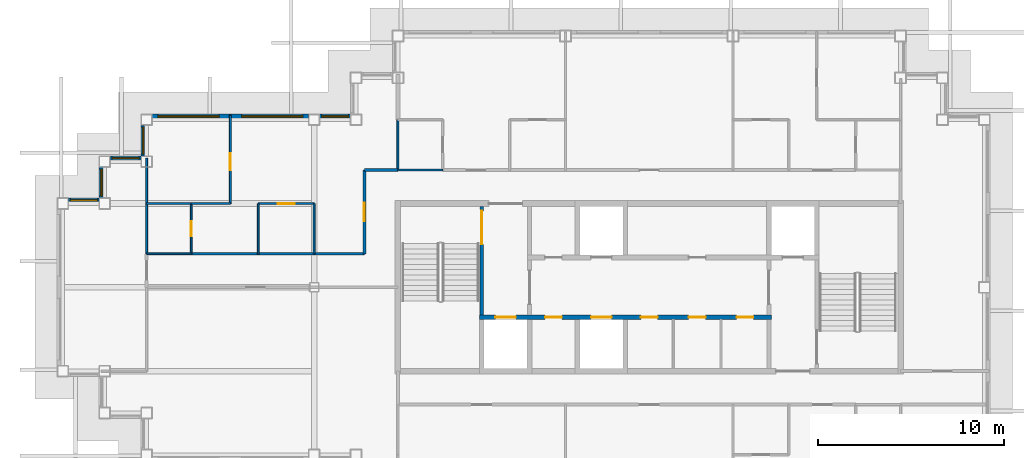
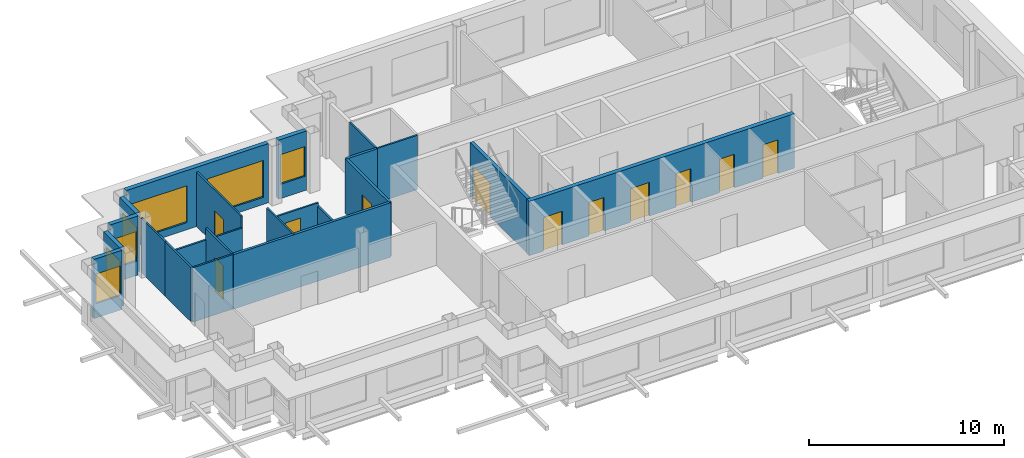
# One storey, part 3 of 11: 23 walls, 11 doors, 7 windows, 18 openings.
"""IFC4 building model written with IfcOpenShell, lengths in metres."""

from ifc_helpers import new_model, si_unit, direction, frame, frame_2d, origin, place, context, subcontext, project, spatial, rectangle, extrude, material, layer, layer_set, type_object, element, fill, save


model = new_model("IFC4")

# Units and contexts
model_context = context("Model", 3, precision=1e-05, world=origin(), true_north=direction((0.0, 1.0)))
body_context = subcontext(model_context, "Body", "Model", "MODEL_VIEW")
ifc_project = project(units=[si_unit("LENGTHUNIT", "METRE"), si_unit("AREAUNIT", "SQUARE_METRE"), si_unit("VOLUMEUNIT", "CUBIC_METRE"), si_unit("PLANEANGLEUNIT", "RADIAN"), si_unit("MASSUNIT", "GRAM", prefix="KILO")], contexts=[model_context])

# Site, building, storey
site_placement = place(None, origin())
site = spatial("IfcSite", under=ifc_project, at=site_placement, CompositionType="ELEMENT")
building_placement = place(site_placement, origin())
building = spatial("IfcBuilding", under=site, at=building_placement, Name="Caravel Reach Hotel and Residences", CompositionType="ELEMENT")
storey_placement = place(building_placement, frame((0.0, 0.0, 263.800048828125)))
storey = spatial("IfcBuildingStorey", under=building, at=storey_placement, Name="L67", CompositionType="ELEMENT", Elevation=263.800048828125)

# Walls
ifc_material_1 = material(Name="Gypsum board on steel stud", Category="steel")
ifc_layer_1 = layer(ifc_material_1, 0.10009765625)
ifc_layer_set_1 = layer_set([ifc_layer_1], Name="Bathroom pod wall 100 mm")
wall_type_1 = type_object("IfcWallType", Name="Bathroom pod wall 100 mm", PredefinedType="PARTITIONING", material=ifc_layer_set_1)
wall_1_placement = place(storey_placement, frame((4.5, 28.800048828125, 0.0), z_axis=(0.0, 0.0, 1.0), x_axis=(1.0, 0.0, 0.0)))
element("IfcWall", 1, at=wall_1_placement, inside=storey, type_object=wall_type_1, Name="L67 wall w052", PredefinedType="PARTITIONING", context=body_context, shape_type="SweptSolid", body=[
    extrude(rectangle(XDim=2.39990234375, YDim=0.10009765625, at=frame_2d((1.199951171875, 0.0))), origin(), (0.0, 0.0, 1.0), 3.39990234375),
])
wall_2_placement = place(storey_placement, frame((4.5, 31.5, 0.0), z_axis=(0.0, 0.0, 1.0), x_axis=(1.0, 0.0, 0.0)))
element("IfcWall", 2, at=wall_2_placement, inside=storey, type_object=wall_type_1, Name="L67 wall w053", PredefinedType="PARTITIONING", context=body_context, shape_type="SweptSolid", body=[
    extrude(rectangle(XDim=2.39990234375, YDim=0.10009765625, at=frame_2d((1.199951171875, 0.0))), origin(), (0.0, 0.0, 1.0), 2.679931640625),
])
wall_3_placement = place(storey_placement, frame((18.0, 33.300048828125, 0.0), z_axis=(0.0, 0.0, 1.0), x_axis=(1.0, 0.0, 0.0)))
element("IfcWall", 3, at=wall_3_placement, inside=storey, type_object=wall_type_1, Name="L67 wall w054", PredefinedType="PARTITIONING", context=body_context, shape_type="SweptSolid", body=[
    extrude(rectangle(XDim=2.39990234375, YDim=0.10009765625, at=frame_2d((1.199951171875, 0.0))), origin(), (0.0, 0.0, 1.0), 3.39990234375),
])
wall_4_placement = place(storey_placement, frame((18.0, 33.301025390625, 0.0), z_axis=(0.0, 0.0, 1.0), x_axis=(0.0, 1.0, 0.0)))
element("IfcWall", 4, at=wall_4_placement, inside=storey, type_object=wall_type_1, Name="L67 wall w058", PredefinedType="PARTITIONING", context=body_context, shape_type="SweptSolid", body=[
    extrude(rectangle(XDim=2.698974609375, YDim=0.10009765625, at=frame_2d((1.349609375, 0.0))), origin(), (0.0, 0.0, 1.0), 3.39990234375),
])
wall_5_placement = place(storey_placement, frame((4.5, 28.800048828125, 0.0), z_axis=(0.0, 0.0, 1.0), x_axis=(0.0, 1.0, 0.0)))
element("IfcWall", 5, at=wall_5_placement, inside=storey, type_object=wall_type_1, Name="L67 wall w060", PredefinedType="PARTITIONING", context=body_context, shape_type="SweptSolid", body=[
    extrude(rectangle(XDim=2.699951171875, YDim=0.10009765625, at=frame_2d((1.35009765625, 0.0))), origin(), (0.0, 0.0, 1.0), 3.39990234375),
])

# Wall, opening, door
wall_6_placement = place(storey_placement, frame((6.89990234375, 28.800048828125, 0.0), z_axis=(0.0, 0.0, 1.0), x_axis=(0.0, 1.0, 0.0)))
wall_6 = element("IfcWall", 6, at=wall_6_placement, inside=storey, type_object=wall_type_1, Name="L67 wall w065", PredefinedType="PARTITIONING", context=body_context, shape_type="SweptSolid", body=[
    extrude(rectangle(XDim=2.699951171875, YDim=0.10009765625, at=frame_2d((1.35009765625, 0.0))), origin(), (0.0, 0.0, 1.0), 3.39990234375),
])
opening_1_placement = place(wall_6_placement, frame((0.949951171875, 0.0, 0.0)))
opening_1 = element("IfcOpeningElement", 7, at=opening_1_placement, cuts=wall_6, Name="Opening D67-026", PredefinedType="OPENING", context=body_context, shape_type="SweptSolid", body=[
    extrude(rectangle(XDim=0.800048828125, YDim=2.10009765625, at=frame_2d((0.39990234375, 1.050048828125))), frame((0.0, 0.06005859375, 0.0), z_axis=(0.0, -1.0, 0.0), x_axis=(1.0, 0.0, 0.0)), (0.0, 0.0, 1.0), 0.1201171875),
])
ifc_material_2 = material(Name="Timber and steel door leaf", Category="steel")
door_type_1 = type_object("IfcDoorType", Name="Bathroom door 800 x 2100", OperationType="SINGLE_SWING_LEFT", PredefinedType="DOOR", material=ifc_material_2)
door_1_placement = place(opening_1_placement, origin())
door_1 = element("IfcDoor", 8, at=door_1_placement, inside=storey, type_object=door_type_1, Name="door D67-026", OperationType="SINGLE_SWING_LEFT", OverallHeight=2.10009765625, OverallWidth=0.800048828125, PredefinedType="DOOR", context=body_context, shape_type="SweptSolid", body=[
    extrude(rectangle(XDim=0.800048828125, YDim=2.10009765625, at=frame_2d((0.39990234375, 1.050048828125))), frame((0.0, 0.02490234375, 0.0), z_axis=(0.0, -1.0, 0.0), x_axis=(1.0, 0.0, 0.0)), (0.0, 0.0, 1.0), 0.050048828125),
])
fill(opening_1, door_1)

# Walls
ifc_material_3 = material(Name="Gypsum board on steel stud, fire-rated", Category="steel")
ifc_layer_2 = layer(ifc_material_3, 0.14990234375)
ifc_layer_set_2 = layer_set([ifc_layer_2], Name="Corridor wall 150 mm EI 60")
wall_type_2 = type_object("IfcWallType", Name="Corridor wall 150 mm EI 60", PredefinedType="PARTITIONING", material=ifc_layer_set_2)
wall_7_placement = place(storey_placement, frame((6.89990234375, 28.800048828125, 0.0), z_axis=(0.0, 0.0, 1.0), x_axis=(1.0, 0.0, 0.0)))
element("IfcWall", 9, at=wall_7_placement, inside=storey, type_object=wall_type_2, Name="L67 wall w008", PredefinedType="PARTITIONING", context=body_context, shape_type="SweptSolid", body=[
    extrude(rectangle(XDim=9.299072265625, YDim=0.14990234375, at=frame_2d((4.6494140625, 0.0))), origin(), (0.0, 0.0, 1.0), 3.39990234375),
])
wall_8_placement = place(storey_placement, frame((16.199951171875, 33.300048828125, 0.0), z_axis=(0.0, 0.0, 1.0), x_axis=(1.0, 0.0, 0.0)))
element("IfcWall", 10, at=wall_8_placement, inside=storey, type_object=wall_type_2, Name="L67 wall w016", PredefinedType="PARTITIONING", context=body_context, shape_type="SweptSolid", body=[
    extrude(rectangle(XDim=1.799072265625, YDim=0.14990234375, at=frame_2d((0.8994140625, 0.0))), origin(), (0.0, 0.0, 1.0), 3.39990234375),
])

# Wall, opening, door
wall_9_placement = place(storey_placement, frame((16.199951171875, 28.801025390625, 0.0), z_axis=(0.0, 0.0, 1.0), x_axis=(0.0, 1.0, 0.0)))
wall_9 = element("IfcWall", 11, at=wall_9_placement, inside=storey, type_object=wall_type_2, Name="L67 wall w017", PredefinedType="PARTITIONING", context=body_context, shape_type="SweptSolid", body=[
    extrude(rectangle(XDim=4.4990234375, YDim=0.14990234375, at=frame_2d((2.24951171875, 0.0))), origin(), (0.0, 0.0, 1.0), 3.39990234375),
])
opening_2_placement = place(wall_9_placement, frame((1.74951171875, 0.0, 0.0)))
opening_2 = element("IfcOpeningElement", 12, at=opening_2_placement, cuts=wall_9, Name="Opening D67-025", PredefinedType="OPENING", context=body_context, shape_type="SweptSolid", body=[
    extrude(rectangle(XDim=1.0, YDim=2.199951171875, at=frame_2d((0.5, 1.10009765625))), frame((0.0, 0.0849609375, 0.0), z_axis=(0.0, -1.0, 0.0), x_axis=(1.0, 0.0, 0.0)), (0.0, 0.0, 1.0), 0.169921875),
])
ifc_material_4 = material(Name="Steel fire door leaf", Category="steel")
door_type_2 = type_object("IfcDoorType", Name="Flat entrance door 1000 x 2200 EI 60", OperationType="SINGLE_SWING_LEFT", PredefinedType="DOOR", material=ifc_material_4)
door_2_placement = place(opening_2_placement, origin())
door_2 = element("IfcDoor", 13, at=door_2_placement, inside=storey, type_object=door_type_2, Name="door D67-025", OperationType="SINGLE_SWING_LEFT", OverallHeight=2.199951171875, OverallWidth=1.0, PredefinedType="DOOR", context=body_context, shape_type="SweptSolid", body=[
    extrude(rectangle(XDim=1.0, YDim=2.199951171875, at=frame_2d((0.5, 1.10009765625))), frame((0.0, 0.02490234375, 0.0), z_axis=(0.0, -1.0, 0.0), x_axis=(1.0, 0.0, 0.0)), (0.0, 0.0, 1.0), 0.050048828125),
])
fill(opening_2, door_2)

# Wall, opening, window
ifc_material_5 = material(Name="Insulated rainscreen wall, aluminium cladding", Category="aluminium")
ifc_layer_3 = layer(ifc_material_5, 0.25)
ifc_layer_set_3 = layer_set([ifc_layer_3], Name="EW1 Tower rainscreen wall")
wall_type_3 = type_object("IfcWallType", Name="EW1 Tower rainscreen wall", PredefinedType="SOLIDWALL", material=ifc_layer_set_3)
wall_10_placement = place(storey_placement, frame((15.449951171875, 36.175048828125, 0.0), z_axis=(0.0, 0.0, 1.0), x_axis=(-1.0, 0.0, 0.0)))
wall_10 = element("IfcWall", 14, at=wall_10_placement, inside=storey, type_object=wall_type_3, Name="External wall L67 N18.1", PredefinedType="SOLIDWALL", context=body_context, shape_type="SweptSolid", body=[
    extrude(rectangle(XDim=1.64990234375, YDim=0.25, at=frame_2d((0.824951171875, 0.0))), origin(), (0.0, 0.0, 1.0), 3.699951171875),
])
opening_3_placement = place(wall_10_placement, frame((0.10009765625, 0.0, 0.89990234375)))
opening_3 = element("IfcOpeningElement", 15, at=opening_3_placement, cuts=wall_10, Name="Opening WN25", PredefinedType="OPENING", context=body_context, shape_type="SweptSolid", body=[
    extrude(rectangle(XDim=1.449951171875, YDim=1.85009765625, at=frame_2d((0.72509765625, 0.925048828125))), frame((0.0, 0.135009765625, 0.0), z_axis=(0.0, -1.0, 0.0), x_axis=(1.0, 0.0, 0.0)), (0.0, 0.0, 1.0), 0.27001953125),
])
ifc_material_6 = material(Name="Dark low-e glazing in black aluminium frame", Category="aluminium")
window_type_1 = type_object("IfcWindowType", Name="Residence bedroom window 1450 x 1850", PartitioningType="SINGLE_PANEL", PredefinedType="WINDOW", material=ifc_material_6)
window_1_placement = place(opening_3_placement, origin())
window_1 = element("IfcWindow", 16, at=window_1_placement, inside=storey, type_object=window_type_1, Name="Window L67 N18.1.1", OverallHeight=1.85009765625, OverallWidth=1.449951171875, PartitioningType="SINGLE_PANEL", PredefinedType="WINDOW", context=body_context, shape_type="SweptSolid", body=[
    extrude(rectangle(XDim=1.449951171875, YDim=1.85009765625, at=frame_2d((0.72509765625, 0.925048828125))), frame((0.0, 0.030029296875, 0.0), z_axis=(0.0, -1.0, 0.0), x_axis=(1.0, 0.0, 0.0)), (0.0, 0.0, 1.0), 0.06005859375),
])
fill(opening_3, window_1)

# Wall, openings, windows
wall_11_placement = place(storey_placement, frame((13.199951171875, 36.175048828125, 0.0), z_axis=(0.0, 0.0, 1.0), x_axis=(-1.0, 0.0, 0.0)))
wall_11 = element("IfcWall", 17, at=wall_11_placement, inside=storey, type_object=wall_type_3, Name="External wall L67 N18.2", PredefinedType="SOLIDWALL", context=body_context, shape_type="SweptSolid", body=[
    extrude(rectangle(XDim=8.39990234375, YDim=0.25, at=frame_2d((4.199951171875, 0.0))), origin(), (0.0, 0.0, 1.0), 3.699951171875),
])
opening_4_placement = place(wall_11_placement, frame((0.300048828125, 0.0, 0.449951171875)))
opening_4 = element("IfcOpeningElement", 18, at=opening_4_placement, cuts=wall_11, Name="Opening WN15", PredefinedType="OPENING", context=body_context, shape_type="SweptSolid", body=[
    extrude(rectangle(XDim=3.300048828125, YDim=2.300048828125, at=frame_2d((1.64990234375, 1.14990234375))), frame((0.0, 0.135009765625, 0.0), z_axis=(0.0, -1.0, 0.0), x_axis=(1.0, 0.0, 0.0)), (0.0, 0.0, 1.0), 0.27001953125),
])
opening_5_placement = place(wall_11_placement, frame((4.800048828125, 0.0, 0.449951171875)))
opening_5 = element("IfcOpeningElement", 19, at=opening_5_placement, cuts=wall_11, Name="Opening WN15", PredefinedType="OPENING", context=body_context, shape_type="SweptSolid", body=[
    extrude(rectangle(XDim=3.300048828125, YDim=2.300048828125, at=frame_2d((1.64990234375, 1.14990234375))), frame((0.0, 0.135009765625, 0.0), z_axis=(0.0, -1.0, 0.0), x_axis=(1.0, 0.0, 0.0)), (0.0, 0.0, 1.0), 0.27001953125),
])
ifc_material_7 = material(Name="Dark low-e glazing in black aluminium frame", Category="aluminium")
window_type_2 = type_object("IfcWindowType", Name="Residence living window 3300 x 2300", PartitioningType="SINGLE_PANEL", PredefinedType="WINDOW", material=ifc_material_7)
window_2_placement = place(opening_4_placement, origin())
window_2 = element("IfcWindow", 20, at=window_2_placement, inside=storey, type_object=window_type_2, Name="Window L67 N18.2.1", OverallHeight=2.300048828125, OverallWidth=3.300048828125, PartitioningType="SINGLE_PANEL", PredefinedType="WINDOW", context=body_context, shape_type="SweptSolid", body=[
    extrude(rectangle(XDim=3.300048828125, YDim=2.300048828125, at=frame_2d((1.64990234375, 1.14990234375))), frame((0.0, 0.030029296875, 0.0), z_axis=(0.0, -1.0, 0.0), x_axis=(1.0, 0.0, 0.0)), (0.0, 0.0, 1.0), 0.06005859375),
])
fill(opening_4, window_2)
window_3_placement = place(opening_5_placement, origin())
window_3 = element("IfcWindow", 21, at=window_3_placement, inside=storey, type_object=window_type_2, Name="Window L67 N18.2.2", OverallHeight=2.300048828125, OverallWidth=3.300048828125, PartitioningType="SINGLE_PANEL", PredefinedType="WINDOW", context=body_context, shape_type="SweptSolid", body=[
    extrude(rectangle(XDim=3.300048828125, YDim=2.300048828125, at=frame_2d((1.64990234375, 1.14990234375))), frame((0.0, 0.030029296875, 0.0), z_axis=(0.0, -1.0, 0.0), x_axis=(1.0, 0.0, 0.0)), (0.0, 0.0, 1.0), 0.06005859375),
])
fill(opening_5, window_3)

# Wall, opening, window
wall_12_placement = place(storey_placement, frame((4.324951171875, 35.699951171875, 0.0), z_axis=(0.0, 0.0, 1.0), x_axis=(0.0, -1.0, 0.0)))
wall_12 = element("IfcWall", 22, at=wall_12_placement, inside=storey, type_object=wall_type_3, Name="External wall L67 W19.1", PredefinedType="SOLIDWALL", context=body_context, shape_type="SweptSolid", body=[
    extrude(rectangle(XDim=1.64990234375, YDim=0.25, at=frame_2d((0.824951171875, 0.0))), origin(), (0.0, 0.0, 1.0), 3.699951171875),
])
opening_6_placement = place(wall_12_placement, frame((0.10009765625, 0.0, 0.89990234375)))
opening_6 = element("IfcOpeningElement", 23, at=opening_6_placement, cuts=wall_12, Name="Opening WN25", PredefinedType="OPENING", context=body_context, shape_type="SweptSolid", body=[
    extrude(rectangle(XDim=1.449951171875, YDim=1.85009765625, at=frame_2d((0.72509765625, 0.925048828125))), frame((0.0, 0.135009765625, 0.0), z_axis=(0.0, -1.0, 0.0), x_axis=(1.0, 0.0, 0.0)), (0.0, 0.0, 1.0), 0.27001953125),
])
window_4_placement = place(opening_6_placement, origin())
window_4 = element("IfcWindow", 24, at=window_4_placement, inside=storey, type_object=window_type_1, Name="Window L67 W19.1.1", OverallHeight=1.85009765625, OverallWidth=1.449951171875, PartitioningType="SINGLE_PANEL", PredefinedType="WINDOW", context=body_context, shape_type="SweptSolid", body=[
    extrude(rectangle(XDim=1.449951171875, YDim=1.85009765625, at=frame_2d((0.72509765625, 0.925048828125))), frame((0.0, 0.030029296875, 0.0), z_axis=(0.0, -1.0, 0.0), x_axis=(1.0, 0.0, 0.0)), (0.0, 0.0, 1.0), 0.06005859375),
])
fill(opening_6, window_4)

wall_13_placement = place(storey_placement, frame((4.199951171875, 33.925048828125, 0.0), z_axis=(0.0, 0.0, 1.0), x_axis=(-1.0, 0.0, 0.0)))
wall_13 = element("IfcWall", 25, at=wall_13_placement, inside=storey, type_object=wall_type_3, Name="External wall L67 N20.1", PredefinedType="SOLIDWALL", context=body_context, shape_type="SweptSolid", body=[
    extrude(rectangle(XDim=1.64990234375, YDim=0.25, at=frame_2d((0.824951171875, 0.0))), origin(), (0.0, 0.0, 1.0), 3.699951171875),
])
opening_7_placement = place(wall_13_placement, frame((0.10009765625, 0.0, 0.89990234375)))
opening_7 = element("IfcOpeningElement", 26, at=opening_7_placement, cuts=wall_13, Name="Opening WN25", PredefinedType="OPENING", context=body_context, shape_type="SweptSolid", body=[
    extrude(rectangle(XDim=1.449951171875, YDim=1.85009765625, at=frame_2d((0.72509765625, 0.925048828125))), frame((0.0, 0.135009765625, 0.0), z_axis=(0.0, -1.0, 0.0), x_axis=(1.0, 0.0, 0.0)), (0.0, 0.0, 1.0), 0.27001953125),
])
window_5_placement = place(opening_7_placement, origin())
window_5 = element("IfcWindow", 27, at=window_5_placement, inside=storey, type_object=window_type_1, Name="Window L67 N20.1.1", OverallHeight=1.85009765625, OverallWidth=1.449951171875, PartitioningType="SINGLE_PANEL", PredefinedType="WINDOW", context=body_context, shape_type="SweptSolid", body=[
    extrude(rectangle(XDim=1.449951171875, YDim=1.85009765625, at=frame_2d((0.72509765625, 0.925048828125))), frame((0.0, 0.030029296875, 0.0), z_axis=(0.0, -1.0, 0.0), x_axis=(1.0, 0.0, 0.0)), (0.0, 0.0, 1.0), 0.06005859375),
])
fill(opening_7, window_5)

wall_14_placement = place(storey_placement, frame((2.074951171875, 33.449951171875, 0.0), z_axis=(0.0, 0.0, 1.0), x_axis=(0.0, -1.0, 0.0)))
wall_14 = element("IfcWall", 28, at=wall_14_placement, inside=storey, type_object=wall_type_3, Name="External wall L67 W21.1", PredefinedType="SOLIDWALL", context=body_context, shape_type="SweptSolid", body=[
    extrude(rectangle(XDim=1.64990234375, YDim=0.25, at=frame_2d((0.824951171875, 0.0))), origin(), (0.0, 0.0, 1.0), 3.699951171875),
])
opening_8_placement = place(wall_14_placement, frame((0.10009765625, 0.0, 0.89990234375)))
opening_8 = element("IfcOpeningElement", 29, at=opening_8_placement, cuts=wall_14, Name="Opening WN25", PredefinedType="OPENING", context=body_context, shape_type="SweptSolid", body=[
    extrude(rectangle(XDim=1.449951171875, YDim=1.85009765625, at=frame_2d((0.72509765625, 0.925048828125))), frame((0.0, 0.135009765625, 0.0), z_axis=(0.0, -1.0, 0.0), x_axis=(1.0, 0.0, 0.0)), (0.0, 0.0, 1.0), 0.27001953125),
])
window_6_placement = place(opening_8_placement, origin())
window_6 = element("IfcWindow", 30, at=window_6_placement, inside=storey, type_object=window_type_1, Name="Window L67 W21.1.1", OverallHeight=1.85009765625, OverallWidth=1.449951171875, PartitioningType="SINGLE_PANEL", PredefinedType="WINDOW", context=body_context, shape_type="SweptSolid", body=[
    extrude(rectangle(XDim=1.449951171875, YDim=1.85009765625, at=frame_2d((0.72509765625, 0.925048828125))), frame((0.0, 0.030029296875, 0.0), z_axis=(0.0, -1.0, 0.0), x_axis=(1.0, 0.0, 0.0)), (0.0, 0.0, 1.0), 0.06005859375),
])
fill(opening_8, window_6)

wall_15_placement = place(storey_placement, frame((1.949951171875, 31.675048828125, 0.0), z_axis=(0.0, 0.0, 1.0), x_axis=(-1.0, 0.0, 0.0)))
wall_15 = element("IfcWall", 31, at=wall_15_placement, inside=storey, type_object=wall_type_3, Name="External wall L67 N22.1", PredefinedType="SOLIDWALL", context=body_context, shape_type="SweptSolid", body=[
    extrude(rectangle(XDim=1.64990234375, YDim=0.25, at=frame_2d((0.824951171875, 0.0))), origin(), (0.0, 0.0, 1.0), 3.699951171875),
])
opening_9_placement = place(wall_15_placement, frame((0.10009765625, 0.0, 0.89990234375)))
opening_9 = element("IfcOpeningElement", 32, at=opening_9_placement, cuts=wall_15, Name="Opening WN25", PredefinedType="OPENING", context=body_context, shape_type="SweptSolid", body=[
    extrude(rectangle(XDim=1.449951171875, YDim=1.85009765625, at=frame_2d((0.72509765625, 0.925048828125))), frame((0.0, 0.135009765625, 0.0), z_axis=(0.0, -1.0, 0.0), x_axis=(1.0, 0.0, 0.0)), (0.0, 0.0, 1.0), 0.27001953125),
])
window_7_placement = place(opening_9_placement, origin())
window_7 = element("IfcWindow", 33, at=window_7_placement, inside=storey, type_object=window_type_1, Name="Window L67 N22.1.1", OverallHeight=1.85009765625, OverallWidth=1.449951171875, PartitioningType="SINGLE_PANEL", PredefinedType="WINDOW", context=body_context, shape_type="SweptSolid", body=[
    extrude(rectangle(XDim=1.449951171875, YDim=1.85009765625, at=frame_2d((0.72509765625, 0.925048828125))), frame((0.0, 0.030029296875, 0.0), z_axis=(0.0, -1.0, 0.0), x_axis=(1.0, 0.0, 0.0)), (0.0, 0.0, 1.0), 0.06005859375),
])
fill(opening_9, window_7)

# Wall
ifc_material_8 = material(Name="Gypsum board on steel stud", Category="steel")
ifc_layer_4 = layer(ifc_material_8, 0.10009765625)
ifc_layer_set_4 = layer_set([ifc_layer_4], Name="Partition 100 mm")
wall_type_4 = type_object("IfcWallType", Name="Partition 100 mm", PredefinedType="PARTITIONING", material=ifc_layer_set_4)
wall_16_placement = place(storey_placement, frame((6.89990234375, 31.5, 0.0), z_axis=(0.0, 0.0, 1.0), x_axis=(1.0, 0.0, 0.0)))
element("IfcWall", 34, at=wall_16_placement, inside=storey, type_object=wall_type_4, Name="L67 wall w024", PredefinedType="PARTITIONING", context=body_context, shape_type="SweptSolid", body=[
    extrude(rectangle(XDim=2.10009765625, YDim=0.10009765625, at=frame_2d((1.050048828125, 0.0))), origin(), (0.0, 0.0, 1.0), 2.679931640625),
])

# Wall, opening, door
wall_17_placement = place(storey_placement, frame((10.5, 31.5, 0.0), z_axis=(0.0, 0.0, 1.0), x_axis=(1.0, 0.0, 0.0)))
wall_17 = element("IfcWall", 35, at=wall_17_placement, inside=storey, type_object=wall_type_4, Name="L67 wall w025", PredefinedType="PARTITIONING", context=body_context, shape_type="SweptSolid", body=[
    extrude(rectangle(XDim=3.0, YDim=0.10009765625, at=frame_2d((1.5, 0.0))), origin(), (0.0, 0.0, 1.0), 2.679931640625),
])
opening_10_placement = place(wall_17_placement, frame((1.050048828125, 0.0, 0.0)))
opening_10 = element("IfcOpeningElement", 36, at=opening_10_placement, cuts=wall_17, Name="Opening D67-027", PredefinedType="OPENING", context=body_context, shape_type="SweptSolid", body=[
    extrude(rectangle(XDim=0.89990234375, YDim=2.10009765625, at=frame_2d((0.449951171875, 1.050048828125))), frame((0.0, 0.06005859375, 0.0), z_axis=(0.0, -1.0, 0.0), x_axis=(1.0, 0.0, 0.0)), (0.0, 0.0, 1.0), 0.1201171875),
])
ifc_material_9 = material(Name="Timber and steel door leaf", Category="steel")
door_type_3 = type_object("IfcDoorType", Name="Door 900 x 2100 timber", OperationType="SINGLE_SWING_LEFT", PredefinedType="DOOR", material=ifc_material_9)
door_3_placement = place(opening_10_placement, origin())
door_3 = element("IfcDoor", 37, at=door_3_placement, inside=storey, type_object=door_type_3, Name="door D67-027", OperationType="SINGLE_SWING_LEFT", OverallHeight=2.10009765625, OverallWidth=0.89990234375, PredefinedType="DOOR", context=body_context, shape_type="SweptSolid", body=[
    extrude(rectangle(XDim=0.89990234375, YDim=2.10009765625, at=frame_2d((0.449951171875, 1.050048828125))), frame((0.0, 0.02490234375, 0.0), z_axis=(0.0, -1.0, 0.0), x_axis=(1.0, 0.0, 0.0)), (0.0, 0.0, 1.0), 0.050048828125),
])
fill(opening_10, door_3)

# Walls
wall_18_placement = place(storey_placement, frame((10.5, 28.800048828125, 0.0), z_axis=(0.0, 0.0, 1.0), x_axis=(0.0, 1.0, 0.0)))
element("IfcWall", 38, at=wall_18_placement, inside=storey, type_object=wall_type_4, Name="L67 wall w029", PredefinedType="PARTITIONING", context=body_context, shape_type="SweptSolid", body=[
    extrude(rectangle(XDim=2.699951171875, YDim=0.10009765625, at=frame_2d((1.35009765625, 0.0))), origin(), (0.0, 0.0, 1.0), 3.39990234375),
])
wall_19_placement = place(storey_placement, frame((13.5, 28.801025390625, 0.0), z_axis=(0.0, 0.0, 1.0), x_axis=(0.0, 1.0, 0.0)))
element("IfcWall", 39, at=wall_19_placement, inside=storey, type_object=wall_type_4, Name="L67 wall w030", PredefinedType="PARTITIONING", context=body_context, shape_type="SweptSolid", body=[
    extrude(rectangle(XDim=2.698974609375, YDim=0.10009765625, at=frame_2d((1.349609375, 0.0))), origin(), (0.0, 0.0, 1.0), 2.47998046875),
])
wall_20_placement = place(storey_placement, frame((4.5, 31.5009765625, 0.0), z_axis=(0.0, 0.0, 1.0), x_axis=(0.0, 1.0, 0.0)))
element("IfcWall", 40, at=wall_20_placement, inside=storey, type_object=wall_type_4, Name="L67 wall w043", PredefinedType="PARTITIONING", context=body_context, shape_type="SweptSolid", body=[
    extrude(rectangle(XDim=2.43896484375, YDim=0.10009765625, at=frame_2d((1.219482421875, 0.0))), origin(), (0.0, 0.0, 1.0), 3.39990234375),
])

# Wall, opening, door
wall_21_placement = place(storey_placement, frame((9.0, 31.5, 0.0), z_axis=(0.0, 0.0, 1.0), x_axis=(0.0, 1.0, 0.0)))
wall_21 = element("IfcWall", 41, at=wall_21_placement, inside=storey, type_object=wall_type_4, Name="L67 wall w048", PredefinedType="PARTITIONING", context=body_context, shape_type="SweptSolid", body=[
    extrude(rectangle(XDim=4.739990234375, YDim=0.10009765625, at=frame_2d((2.3701171875, 0.0))), origin(), (0.0, 0.0, 1.0), 3.39990234375),
])
opening_11_placement = place(wall_21_placement, frame((1.800048828125, 0.0, 0.0)))
opening_11 = element("IfcOpeningElement", 42, at=opening_11_placement, cuts=wall_21, Name="Opening D67-028", PredefinedType="OPENING", context=body_context, shape_type="SweptSolid", body=[
    extrude(rectangle(XDim=0.89990234375, YDim=2.10009765625, at=frame_2d((0.449951171875, 1.050048828125))), frame((0.0, 0.06005859375, 0.0), z_axis=(0.0, -1.0, 0.0), x_axis=(1.0, 0.0, 0.0)), (0.0, 0.0, 1.0), 0.1201171875),
])
door_4_placement = place(opening_11_placement, origin())
door_4 = element("IfcDoor", 43, at=door_4_placement, inside=storey, type_object=door_type_3, Name="door D67-028", OperationType="SINGLE_SWING_LEFT", OverallHeight=2.10009765625, OverallWidth=0.89990234375, PredefinedType="DOOR", context=body_context, shape_type="SweptSolid", body=[
    extrude(rectangle(XDim=0.89990234375, YDim=2.10009765625, at=frame_2d((0.449951171875, 1.050048828125))), frame((0.0, 0.02490234375, 0.0), z_axis=(0.0, -1.0, 0.0), x_axis=(1.0, 0.0, 0.0)), (0.0, 0.0, 1.0), 0.050048828125),
])
fill(opening_11, door_4)

# Wall, openings, doors
ifc_material_10 = material(Name="Concrete C60", Category="concrete")
ifc_layer_5 = layer(ifc_material_10, 0.25)
ifc_layer_set_5 = layer_set([ifc_layer_5], Name="Shaft wall 250 mm EI 120")
wall_type_5 = type_object("IfcWallType", Name="Shaft wall 250 mm EI 120", PredefinedType="SHEAR", material=ifc_layer_set_5)
wall_22_placement = place(storey_placement, frame((22.375, 25.39990234375, 0.0), z_axis=(0.0, 0.0, 1.0), x_axis=(1.0, 0.0, 0.0)))
wall_22 = element("IfcWall", 44, at=wall_22_placement, inside=storey, type_object=wall_type_5, Name="L67 lobby wall S1", PredefinedType="SHEAR", context=body_context, shape_type="SweptSolid", body=[
    extrude(rectangle(XDim=15.678466796875, YDim=0.25, at=frame_2d((7.83935546875, 0.0))), origin(), (0.0, 0.0, 1.0), 3.39990234375),
])
opening_12_placement = place(wall_22_placement, frame((6.003662109375, 0.0, 0.0)))
opening_12 = element("IfcOpeningElement", 45, at=opening_12_placement, cuts=wall_22, Name="Opening D67-001", PredefinedType="OPENING", context=body_context, shape_type="SweptSolid", body=[
    extrude(rectangle(XDim=1.10009765625, YDim=2.10009765625, at=frame_2d((0.550048828125, 1.050048828125))), frame((0.0, 0.135009765625, 0.0), z_axis=(0.0, -1.0, 0.0), x_axis=(1.0, 0.0, 0.0)), (0.0, 0.0, 1.0), 0.27001953125),
])
opening_13_placement = place(wall_22_placement, frame((0.860595703125, 0.0, 0.0)))
opening_13 = element("IfcOpeningElement", 46, at=opening_13_placement, cuts=wall_22, Name="Opening D67-003", PredefinedType="OPENING", context=body_context, shape_type="SweptSolid", body=[
    extrude(rectangle(XDim=1.10009765625, YDim=2.10009765625, at=frame_2d((0.550048828125, 1.050048828125))), frame((0.0, 0.135009765625, 0.0), z_axis=(0.0, -1.0, 0.0), x_axis=(1.0, 0.0, 0.0)), (0.0, 0.0, 1.0), 0.27001953125),
])
opening_14_placement = place(wall_22_placement, frame((3.531982421875, 0.0, 0.0)))
opening_14 = element("IfcOpeningElement", 47, at=opening_14_placement, cuts=wall_22, Name="Opening D67-005", PredefinedType="OPENING", context=body_context, shape_type="SweptSolid", body=[
    extrude(rectangle(XDim=0.89990234375, YDim=2.10009765625, at=frame_2d((0.449951171875, 1.050048828125))), frame((0.0, 0.135009765625, 0.0), z_axis=(0.0, -1.0, 0.0), x_axis=(1.0, 0.0, 0.0)), (0.0, 0.0, 1.0), 0.27001953125),
])
opening_15_placement = place(wall_22_placement, frame((8.675048828125, 0.0, 0.0)))
opening_15 = element("IfcOpeningElement", 48, at=opening_15_placement, cuts=wall_22, Name="Opening D67-006", PredefinedType="OPENING", context=body_context, shape_type="SweptSolid", body=[
    extrude(rectangle(XDim=0.89990234375, YDim=2.10009765625, at=frame_2d((0.449951171875, 1.050048828125))), frame((0.0, 0.135009765625, 0.0), z_axis=(0.0, -1.0, 0.0), x_axis=(1.0, 0.0, 0.0)), (0.0, 0.0, 1.0), 0.27001953125),
])
opening_16_placement = place(wall_22_placement, frame((11.246337890625, 0.0, 0.0)))
opening_16 = element("IfcOpeningElement", 49, at=opening_16_placement, cuts=wall_22, Name="Opening D67-007", PredefinedType="OPENING", context=body_context, shape_type="SweptSolid", body=[
    extrude(rectangle(XDim=0.89990234375, YDim=2.10009765625, at=frame_2d((0.449951171875, 1.050048828125))), frame((0.0, 0.135009765625, 0.0), z_axis=(0.0, -1.0, 0.0), x_axis=(1.0, 0.0, 0.0)), (0.0, 0.0, 1.0), 0.27001953125),
])
opening_17_placement = place(wall_22_placement, frame((13.81787109375, 0.0, 0.0)))
opening_17 = element("IfcOpeningElement", 50, at=opening_17_placement, cuts=wall_22, Name="Opening D67-008", PredefinedType="OPENING", context=body_context, shape_type="SweptSolid", body=[
    extrude(rectangle(XDim=0.89990234375, YDim=2.10009765625, at=frame_2d((0.449951171875, 1.050048828125))), frame((0.0, 0.135009765625, 0.0), z_axis=(0.0, -1.0, 0.0), x_axis=(1.0, 0.0, 0.0)), (0.0, 0.0, 1.0), 0.27001953125),
])
ifc_material_11 = material(Name="Stainless steel landing door", Category="steel")
door_type_4 = type_object("IfcDoorType", Name="Landing door LD 1100 x 2100 sliding", OperationType="DOUBLE_DOOR_SLIDING", PredefinedType="DOOR", material=ifc_material_11)
door_5_placement = place(opening_12_placement, origin())
door_5 = element("IfcDoor", 51, at=door_5_placement, inside=storey, type_object=door_type_4, Name="HP1 landing door", OperationType="DOUBLE_DOOR_SLIDING", OverallHeight=2.10009765625, OverallWidth=1.10009765625, PredefinedType="DOOR", context=body_context, shape_type="SweptSolid", body=[
    extrude(rectangle(XDim=1.10009765625, YDim=2.10009765625, at=frame_2d((0.550048828125, 1.050048828125))), frame((0.0, 0.02490234375, 0.0), z_axis=(0.0, -1.0, 0.0), x_axis=(1.0, 0.0, 0.0)), (0.0, 0.0, 1.0), 0.050048828125),
])
fill(opening_12, door_5)
door_6_placement = place(opening_13_placement, origin())
door_6 = element("IfcDoor", 52, at=door_6_placement, inside=storey, type_object=door_type_4, Name="FL1 landing door", OperationType="DOUBLE_DOOR_SLIDING", OverallHeight=2.10009765625, OverallWidth=1.10009765625, PredefinedType="DOOR", context=body_context, shape_type="SweptSolid", body=[
    extrude(rectangle(XDim=1.10009765625, YDim=2.10009765625, at=frame_2d((0.550048828125, 1.050048828125))), frame((0.0, 0.02490234375, 0.0), z_axis=(0.0, -1.0, 0.0), x_axis=(1.0, 0.0, 0.0)), (0.0, 0.0, 1.0), 0.050048828125),
])
fill(opening_13, door_6)
ifc_material_12 = material(Name="Steel fire door leaf", Category="steel")
door_type_5 = type_object("IfcDoorType", Name="Riser door 900 x 2100 EI 60", OperationType="SINGLE_SWING_LEFT", PredefinedType="DOOR", material=ifc_material_12)
door_7_placement = place(opening_14_placement, origin())
door_7 = element("IfcDoor", 53, at=door_7_placement, inside=storey, type_object=door_type_5, Name="Water tank room door", OperationType="SINGLE_SWING_LEFT", OverallHeight=2.10009765625, OverallWidth=0.89990234375, PredefinedType="DOOR", context=body_context, shape_type="SweptSolid", body=[
    extrude(rectangle(XDim=0.89990234375, YDim=2.10009765625, at=frame_2d((0.449951171875, 1.050048828125))), frame((0.0, 0.02490234375, 0.0), z_axis=(0.0, -1.0, 0.0), x_axis=(1.0, 0.0, 0.0)), (0.0, 0.0, 1.0), 0.050048828125),
])
fill(opening_14, door_7)
door_8_placement = place(opening_15_placement, origin())
door_8 = element("IfcDoor", 54, at=door_8_placement, inside=storey, type_object=door_type_5, Name="Telecom room door", OperationType="SINGLE_SWING_LEFT", OverallHeight=2.10009765625, OverallWidth=0.89990234375, PredefinedType="DOOR", context=body_context, shape_type="SweptSolid", body=[
    extrude(rectangle(XDim=0.89990234375, YDim=2.10009765625, at=frame_2d((0.449951171875, 1.050048828125))), frame((0.0, 0.02490234375, 0.0), z_axis=(0.0, -1.0, 0.0), x_axis=(1.0, 0.0, 0.0)), (0.0, 0.0, 1.0), 0.050048828125),
])
fill(opening_15, door_8)
door_9_placement = place(opening_16_placement, origin())
door_9 = element("IfcDoor", 55, at=door_9_placement, inside=storey, type_object=door_type_5, Name="Recycling store door", OperationType="SINGLE_SWING_LEFT", OverallHeight=2.10009765625, OverallWidth=0.89990234375, PredefinedType="DOOR", context=body_context, shape_type="SweptSolid", body=[
    extrude(rectangle(XDim=0.89990234375, YDim=2.10009765625, at=frame_2d((0.449951171875, 1.050048828125))), frame((0.0, 0.02490234375, 0.0), z_axis=(0.0, -1.0, 0.0), x_axis=(1.0, 0.0, 0.0)), (0.0, 0.0, 1.0), 0.050048828125),
])
fill(opening_16, door_9)
door_10_placement = place(opening_17_placement, origin())
door_10 = element("IfcDoor", 56, at=door_10_placement, inside=storey, type_object=door_type_5, Name="Residents' store door", OperationType="SINGLE_SWING_LEFT", OverallHeight=2.10009765625, OverallWidth=0.89990234375, PredefinedType="DOOR", context=body_context, shape_type="SweptSolid", body=[
    extrude(rectangle(XDim=0.89990234375, YDim=2.10009765625, at=frame_2d((0.449951171875, 1.050048828125))), frame((0.0, 0.02490234375, 0.0), z_axis=(0.0, -1.0, 0.0), x_axis=(1.0, 0.0, 0.0)), (0.0, 0.0, 1.0), 0.050048828125),
])
fill(opening_17, door_10)

# Wall, opening, door
ifc_material_13 = material(Name="Concrete C60", Category="concrete")
ifc_layer_6 = layer(ifc_material_13, 0.199951171875)
ifc_layer_set_6 = layer_set([ifc_layer_6], Name="Stair enclosure wall 200 mm EI 120")
wall_type_6 = type_object("IfcWallType", Name="Stair enclosure wall 200 mm EI 120", PredefinedType="SHEAR", material=ifc_layer_set_6)
wall_23_placement = place(storey_placement, frame((22.5, 31.35009765625, 0.0), z_axis=(0.0, 0.0, 1.0), x_axis=(0.0, -1.0, 0.0)))
wall_23 = element("IfcWall", 57, at=wall_23_placement, inside=storey, type_object=wall_type_6, Name="L67 stair A wall", PredefinedType="SHEAR", context=body_context, shape_type="SweptSolid", body=[
    extrude(rectangle(XDim=5.8251953125, YDim=0.199951171875, at=frame_2d((2.91259765625, 0.0))), origin(), (0.0, 0.0, 1.0), 3.39990234375),
])
opening_18_placement = place(wall_23_placement, frame((0.25, 0.0, 0.0)))
opening_18 = element("IfcOpeningElement", 58, at=opening_18_placement, cuts=wall_23, Name="Opening D67-011", PredefinedType="OPENING", context=body_context, shape_type="SweptSolid", body=[
    extrude(rectangle(XDim=1.800048828125, YDim=2.10009765625, at=frame_2d((0.89990234375, 1.050048828125))), frame((0.0, 0.10986328125, 0.0), z_axis=(0.0, -1.0, 0.0), x_axis=(1.0, 0.0, 0.0)), (0.0, 0.0, 1.0), 0.219970703125),
])
ifc_material_14 = material(Name="Steel fire door leaf", Category="steel")
door_type_6 = type_object("IfcDoorType", Name="Stair door pair 1800 x 2100 EI 90", OperationType="DOUBLE_DOOR_SINGLE_SWING", PredefinedType="DOOR", material=ifc_material_14)
door_11_placement = place(opening_18_placement, origin())
door_11 = element("IfcDoor", 59, at=door_11_placement, inside=storey, type_object=door_type_6, Name="stair A door pair", OperationType="DOUBLE_DOOR_SINGLE_SWING", OverallHeight=2.10009765625, OverallWidth=1.800048828125, PredefinedType="DOOR", context=body_context, shape_type="SweptSolid", body=[
    extrude(rectangle(XDim=1.800048828125, YDim=2.10009765625, at=frame_2d((0.89990234375, 1.050048828125))), frame((0.0, 0.02490234375, 0.0), z_axis=(0.0, -1.0, 0.0), x_axis=(1.0, 0.0, 0.0)), (0.0, 0.0, 1.0), 0.050048828125),
])
fill(opening_18, door_11)

save(model, "model.ifc")
